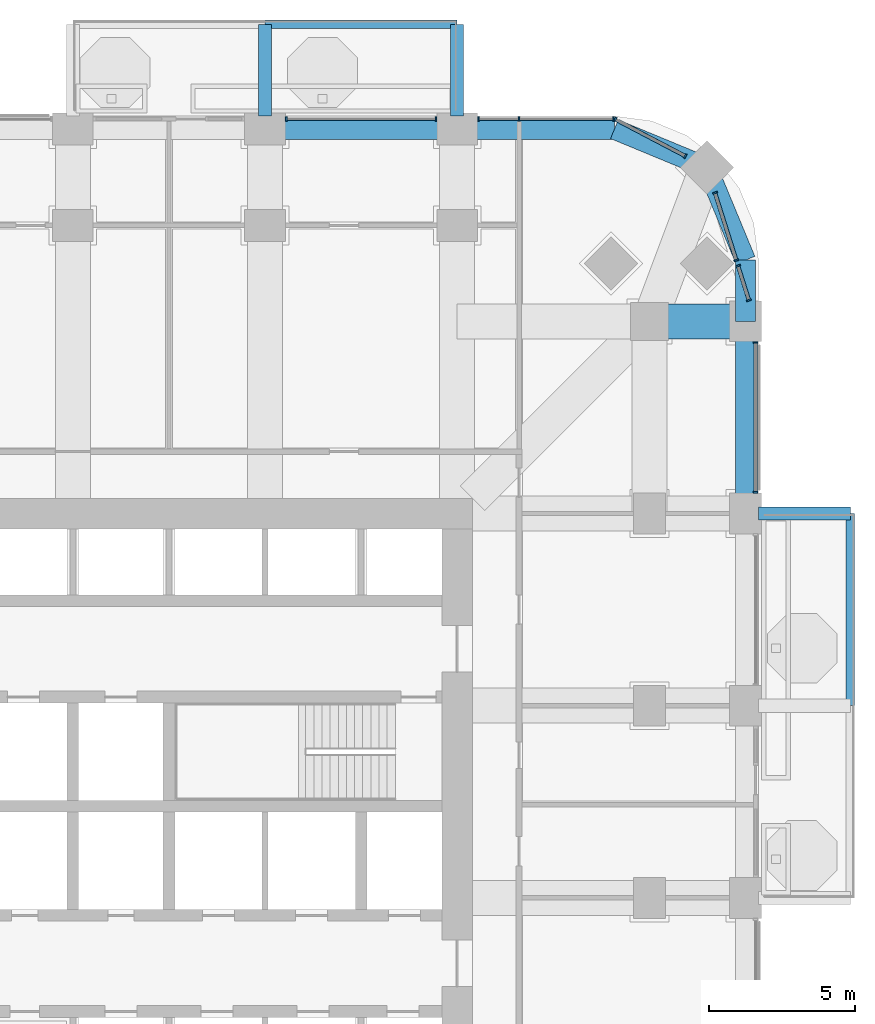
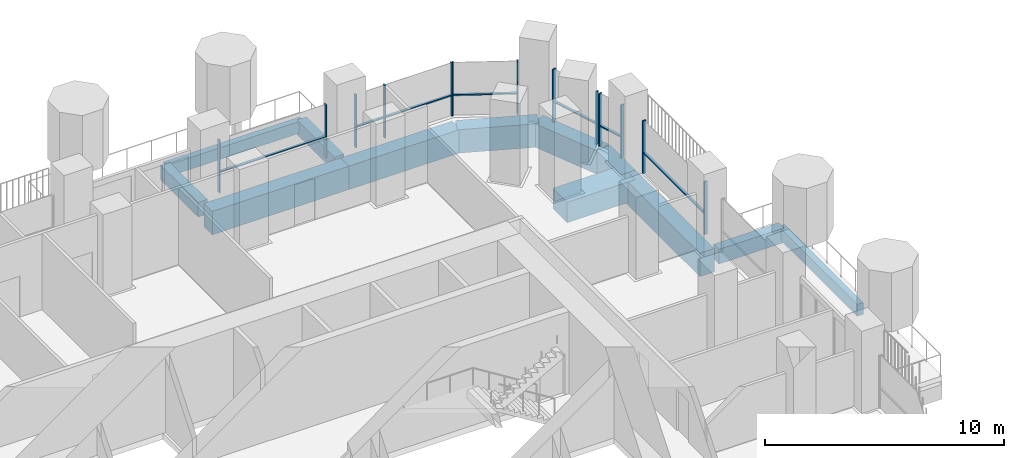
# One storey, part 8 of 22: 20 members, 12 beams, 6 elements without a shape of their own.
"""IFC4 building model written with IfcOpenShell, lengths in metres."""

from ifc_helpers import new_model, si_unit, direction, frame, origin, origin_2d, place, context, subcontext, project, spatial, rectangle, extrude, material, material_profile, profile_set, type_object, element, aggregate, save


model = new_model("IFC4")

# Units and contexts
model_context = context("Model", 3, precision=1e-05, world=origin(), true_north=direction((0.0, 1.0)))
body_context = subcontext(model_context, "Body", "Model", "MODEL_VIEW")
ifc_project = project(units=[si_unit("LENGTHUNIT", "METRE"), si_unit("AREAUNIT", "SQUARE_METRE"), si_unit("VOLUMEUNIT", "CUBIC_METRE"), si_unit("PLANEANGLEUNIT", "RADIAN"), si_unit("MASSUNIT", "GRAM", prefix="KILO")], contexts=[model_context])

# Site, building, storey
site_placement = place(None, origin())
site = spatial("IfcSite", under=ifc_project, at=site_placement, CompositionType="ELEMENT")
building_placement = place(site_placement, origin())
building = spatial("IfcBuilding", under=site, at=building_placement, Name="Cobogo Forest Laboratory Tower", CompositionType="ELEMENT")
storey_placement = place(building_placement, frame((0.0, 0.0, 111.60009765625)))
storey = spatial("IfcBuildingStorey", under=building, at=storey_placement, Name="L25", CompositionType="ELEMENT", Elevation=111.60009765625)

# Beams
ifc_material_1 = material(Name="Concrete HA-40 (C40/50)", Category="concrete")
ifc_material_profile_1 = material_profile(ifc_material_1, rectangle(XDim=0.449951171875, YDim=0.75, at=origin_2d()), Name="RC 450x750")
ifc_profile_set_1 = profile_set([ifc_material_profile_1], Name="Concrete HA-40 (C40/50)")
beam_type_1 = type_object("IfcBeamType", Name="Balcony cantilever beam 450x750", PredefinedType="BEAM", material=ifc_profile_set_1)
for number, where, z_axis, x_axis, name in (
    (1, (49.949951171875, 33.0, -0.625), (1.0, 0.0, 0.0), (0.0, 1.0, 0.0), "CB1 BAL-E1-C3 L25"),
    (2, (33.0, 46.64990234375, -0.625), (0.0, 1.0, 0.0), (-1.0, 0.0, 0.0), "CB1 BAL-N1-C2 L25"),
    (3, (39.60009765625, 46.64990234375, -0.625), (0.0, 1.0, 0.0), (-1.0, 0.0, 0.0), "CB1 BAL-N1-C3 L25"),
):
    element("IfcBeam", number, at=place(storey_placement, frame(where, z_axis=z_axis, x_axis=x_axis)), inside=storey, type_object=beam_type_1, Name=name, PredefinedType="BEAM", context=body_context, shape_type="SweptSolid", body=[
        extrude(rectangle(XDim=0.449951171875, YDim=0.75, at=origin_2d()), origin(), (0.0, 0.0, 1.0), 3.150146484375),
    ])
ifc_material_profile_2 = material_profile(ifc_material_1, rectangle(XDim=0.300048828125, YDim=0.60009765625, at=origin_2d()), Name="RC 300x600")
ifc_profile_set_2 = profile_set([ifc_material_profile_2], Name="Concrete HA-40 (C40/50)")
beam_type_2 = type_object("IfcBeamType", Name="Balcony edge beam 300x600", PredefinedType="BEAM", material=ifc_profile_set_2)
for number, where, z_axis, x_axis, name in (
    (4, (53.10009765625, 26.39990234375, -0.550048828125), (0.0, 1.0, 0.0), (-1.0, 0.0, 0.0), "BB1 BAL-E1-T2 L25"),
    (5, (33.0, 49.800048828125, -0.550048828125), (1.0, 0.0, 0.0), (0.0, 1.0, 0.0), "BB1 BAL-N1-T2 L25"),
):
    element("IfcBeam", number, at=place(storey_placement, frame(where, z_axis=z_axis, x_axis=x_axis)), inside=storey, type_object=beam_type_2, Name=name, PredefinedType="BEAM", context=body_context, shape_type="SweptSolid", body=[
        extrude(rectangle(XDim=0.300048828125, YDim=0.60009765625, at=origin_2d()), origin(), (0.0, 0.0, 1.0), 6.60009765625),
    ])
ifc_material_profile_3 = material_profile(ifc_material_1, rectangle(XDim=1.199951171875, YDim=1.050048828125, at=origin_2d()), Name="RC 1200x1050")
ifc_profile_set_3 = profile_set([ifc_material_profile_3], Name="Concrete HA-40 (C40/50)")
beam_type_3 = type_object("IfcBeamType", Name="Laboratory floor wide beam 1200x1050", PredefinedType="BEAM", material=ifc_profile_set_3)
beam_1_placement = place(storey_placement, frame((49.5, 39.60009765625, -0.8251953125), z_axis=(-1.0, 0.0, 0.0), x_axis=(0.0, -1.0, 0.0)))
element("IfcBeam", 6, at=beam_1_placement, inside=storey, type_object=beam_type_3, Name="RB1 G-NE-YF L25", PredefinedType="BEAM", context=body_context, shape_type="SweptSolid", body=[
    extrude(rectangle(XDim=1.199951171875, YDim=1.050048828125, at=origin_2d()), origin(), (0.0, 0.0, 1.0), 3.300048828125),
])

# Curtain wall, members
ifc_material_2 = material(Name="Aluminium curtain wall", Category="aluminium")
curtain_wall_type = type_object("IfcCurtainWallType", Name="CW-1 unitised curtain wall, clear glazing, laboratory floors zones A and B", PredefinedType="USERDEFINED", material=ifc_material_2)
curtain_wall_1_placement = place(storey_placement, origin())
curtain_wall_1 = element("IfcCurtainWall", 7, at=curtain_wall_1_placement, inside=storey, type_object=curtain_wall_type, Name="Curtain wall 14 L25", ObjectType="UNITISED CURTAIN WALL", PredefinedType="USERDEFINED")
ifc_material_3 = material(Name="Aluminium mullion", Category="aluminium")
ifc_material_profile_4 = material_profile(ifc_material_3, rectangle(XDim=0.06005859375, YDim=0.159912109375, at=origin_2d()), Name="AL 60x160")
ifc_profile_set_4 = profile_set([ifc_material_profile_4], Name="Aluminium mullion")
member_type_1 = type_object("IfcMemberType", Name="MU-1 aluminium mullion 60x160", PredefinedType="MULLION", material=ifc_profile_set_4)
member_1_placement = place(storey_placement, frame((49.85009765625, 33.72998046875, 0.0), z_axis=(0.0, 0.0, 1.0), x_axis=(0.0, 1.0, 0.0)))
member_1 = element("IfcMember", 8, at=member_1_placement, type_object=member_type_1, Name="CW-1 mullion 1", PredefinedType="MULLION", context=body_context, shape_type="SweptSolid", body=[
    extrude(rectangle(XDim=0.06005859375, YDim=0.159912109375, at=origin_2d()), origin(), (0.0, 0.0, 1.0), 2.699951171875),
])
member_2_placement = place(storey_placement, frame((49.85009765625, 38.8701171875, 0.0), z_axis=(0.0, 0.0, 1.0), x_axis=(0.0, 1.0, 0.0)))
member_2 = element("IfcMember", 9, at=member_2_placement, type_object=member_type_1, Name="CW-1 mullion 2", PredefinedType="MULLION", context=body_context, shape_type="SweptSolid", body=[
    extrude(rectangle(XDim=0.06005859375, YDim=0.159912109375, at=origin_2d()), origin(), (0.0, 0.0, 1.0), 2.699951171875),
])

curtain_wall_2_placement = place(storey_placement, origin())
curtain_wall_2 = element("IfcCurtainWall", 10, at=curtain_wall_2_placement, inside=storey, type_object=curtain_wall_type, Name="Curtain wall 15 L25", ObjectType="UNITISED CURTAIN WALL", PredefinedType="USERDEFINED")
member_3_placement = place(storey_placement, frame((49.619873046875, 40.32861328125, 0.0), z_axis=(0.0, 0.0, 1.0), x_axis=(-0.301135356805, 0.953581405483, 0.0)))
member_3 = element("IfcMember", 11, at=member_3_placement, type_object=member_type_1, Name="CW-1 mullion 1", PredefinedType="MULLION", context=body_context, shape_type="SweptSolid", body=[
    extrude(rectangle(XDim=0.06005859375, YDim=0.159912109375, at=origin_2d()), origin(), (0.0, 0.0, 1.0), 2.699951171875),
])
member_4_placement = place(storey_placement, frame((49.247802734375, 41.507080078125, 0.0), z_axis=(0.0, 0.0, 1.0), x_axis=(-0.301135356805, 0.953581405483, 0.0)))
member_4 = element("IfcMember", 12, at=member_4_placement, type_object=member_type_1, Name="CW-1 mullion 2", PredefinedType="MULLION", context=body_context, shape_type="SweptSolid", body=[
    extrude(rectangle(XDim=0.06005859375, YDim=0.159912109375, at=origin_2d()), origin(), (0.0, 0.0, 1.0), 2.699951171875),
])

curtain_wall_3_placement = place(storey_placement, origin())
curtain_wall_3 = element("IfcCurtainWall", 13, at=curtain_wall_3_placement, inside=storey, type_object=curtain_wall_type, Name="Curtain wall 16 L25", ObjectType="UNITISED CURTAIN WALL", PredefinedType="USERDEFINED")
member_5_placement = place(storey_placement, frame((49.18701171875, 41.69970703125, 0.0), z_axis=(0.0, 0.0, 1.0), x_axis=(-0.301135291996, 0.953581425949, 0.0)))
member_5 = element("IfcMember", 14, at=member_5_placement, type_object=member_type_1, Name="CW-1 mullion 1", PredefinedType="MULLION", context=body_context, shape_type="SweptSolid", body=[
    extrude(rectangle(XDim=0.06005859375, YDim=0.159912109375, at=origin_2d()), origin(), (0.0, 0.0, 1.0), 2.699951171875),
])
member_6_placement = place(storey_placement, frame((48.455810546875, 44.01513671875, 0.0), z_axis=(0.0, 0.0, 1.0), x_axis=(-0.301135291996, 0.953581425949, 0.0)))
member_6 = element("IfcMember", 15, at=member_6_placement, type_object=member_type_1, Name="CW-1 mullion 2", PredefinedType="MULLION", context=body_context, shape_type="SweptSolid", body=[
    extrude(rectangle(XDim=0.06005859375, YDim=0.159912109375, at=origin_2d()), origin(), (0.0, 0.0, 1.0), 2.699951171875),
])

curtain_wall_4_placement = place(storey_placement, origin())
curtain_wall_4 = element("IfcCurtainWall", 16, at=curtain_wall_4_placement, inside=storey, type_object=curtain_wall_type, Name="Curtain wall 17 L25", ObjectType="UNITISED CURTAIN WALL", PredefinedType="USERDEFINED")
member_7_placement = place(storey_placement, frame((47.431640625, 45.275390625, 0.0), z_axis=(0.0, 0.0, 1.0), x_axis=(-0.885686547075, 0.464283685186, 0.0)))
member_7 = element("IfcMember", 17, at=member_7_placement, type_object=member_type_1, Name="CW-1 mullion 1", PredefinedType="MULLION", context=body_context, shape_type="SweptSolid", body=[
    extrude(rectangle(XDim=0.06005859375, YDim=0.159912109375, at=origin_2d()), origin(), (0.0, 0.0, 1.0), 2.699951171875),
])
member_8_placement = place(storey_placement, frame((45.026611328125, 46.5361328125, 0.0), z_axis=(0.0, 0.0, 1.0), x_axis=(-0.885686547075, 0.464283685186, 0.0)))
member_8 = element("IfcMember", 18, at=member_8_placement, type_object=member_type_1, Name="CW-1 mullion 2", PredefinedType="MULLION", context=body_context, shape_type="SweptSolid", body=[
    extrude(rectangle(XDim=0.06005859375, YDim=0.159912109375, at=origin_2d()), origin(), (0.0, 0.0, 1.0), 2.699951171875),
])

curtain_wall_5_placement = place(storey_placement, origin())
curtain_wall_5 = element("IfcCurtainWall", 19, at=curtain_wall_5_placement, inside=storey, type_object=curtain_wall_type, Name="Curtain wall 18 L25", ObjectType="UNITISED CURTAIN WALL", PredefinedType="USERDEFINED")
member_9_placement = place(storey_placement, frame((44.969970703125, 46.550048828125, 0.0), z_axis=(0.0, 0.0, 1.0), x_axis=(-1.0, 0.0, 0.0)))
member_9 = element("IfcMember", 20, at=member_9_placement, type_object=member_type_1, Name="CW-1 mullion 1", PredefinedType="MULLION", context=body_context, shape_type="SweptSolid", body=[
    extrude(rectangle(XDim=0.06005859375, YDim=0.159912109375, at=origin_2d()), origin(), (0.0, 0.0, 1.0), 2.699951171875),
])
member_10_placement = place(storey_placement, frame((41.72509765625, 46.550048828125, 0.0), z_axis=(0.0, 0.0, 1.0), x_axis=(-1.0, 0.0, 0.0)))
member_10 = element("IfcMember", 21, at=member_10_placement, type_object=member_type_1, Name="CW-1 mullion 2", PredefinedType="MULLION", context=body_context, shape_type="SweptSolid", body=[
    extrude(rectangle(XDim=0.06005859375, YDim=0.159912109375, at=origin_2d()), origin(), (0.0, 0.0, 1.0), 2.699951171875),
])
member_11_placement = place(storey_placement, frame((40.330078125, 46.550048828125, 0.0), z_axis=(0.0, 0.0, 1.0), x_axis=(-1.0, 0.0, 0.0)))
member_11 = element("IfcMember", 22, at=member_11_placement, type_object=member_type_1, Name="CW-1 mullion 3", PredefinedType="MULLION", context=body_context, shape_type="SweptSolid", body=[
    extrude(rectangle(XDim=0.06005859375, YDim=0.159912109375, at=origin_2d()), origin(), (0.0, 0.0, 1.0), 2.699951171875),
])

curtain_wall_6_placement = place(storey_placement, origin())
curtain_wall_6 = element("IfcCurtainWall", 23, at=curtain_wall_6_placement, inside=storey, type_object=curtain_wall_type, Name="Curtain wall 19 L25", ObjectType="UNITISED CURTAIN WALL", PredefinedType="USERDEFINED")
member_12_placement = place(storey_placement, frame((38.8701171875, 46.550048828125, 0.0), z_axis=(0.0, 0.0, 1.0), x_axis=(-1.0, 0.0, 0.0)))
member_12 = element("IfcMember", 24, at=member_12_placement, type_object=member_type_1, Name="CW-1 mullion 1", PredefinedType="MULLION", context=body_context, shape_type="SweptSolid", body=[
    extrude(rectangle(XDim=0.06005859375, YDim=0.159912109375, at=origin_2d()), origin(), (0.0, 0.0, 1.0), 2.699951171875),
])
member_13_placement = place(storey_placement, frame((33.72998046875, 46.550048828125, 0.0), z_axis=(0.0, 0.0, 1.0), x_axis=(-1.0, 0.0, 0.0)))
member_13 = element("IfcMember", 25, at=member_13_placement, type_object=member_type_1, Name="CW-1 mullion 2", PredefinedType="MULLION", context=body_context, shape_type="SweptSolid", body=[
    extrude(rectangle(XDim=0.06005859375, YDim=0.159912109375, at=origin_2d()), origin(), (0.0, 0.0, 1.0), 2.699951171875),
])

# Beams
ifc_material_profile_5 = material_profile(ifc_material_1, rectangle(XDim=0.699951171875, YDim=1.199951171875, at=origin_2d()), Name="RC 700x1200")
ifc_profile_set_5 = profile_set([ifc_material_profile_5], Name="Concrete HA-40 (C40/50)")
beam_type_4 = type_object("IfcBeamType", Name="Perimeter edge beam 700x1200", PredefinedType="BEAM", material=ifc_profile_set_5)
for number, where, z_axis, x_axis, name in (
    (26, (49.5, 33.0, -0.900146484375), (0.0, 1.0, 0.0), (-1.0, 0.0, 0.0), "EB1 E-E5 L25"),
    (27, (33.0, 46.199951171875, -0.900146484375), (1.0, 0.0, 0.0), (0.0, 1.0, 0.0), "EB1 E-N4 L25"),
):
    element("IfcBeam", number, at=place(storey_placement, frame(where, z_axis=z_axis, x_axis=x_axis)), inside=storey, type_object=beam_type_4, Name=name, PredefinedType="BEAM", context=body_context, shape_type="SweptSolid", body=[
        extrude(rectangle(XDim=0.699951171875, YDim=1.199951171875, at=origin_2d()), origin(), (0.0, 0.0, 1.0), 6.60009765625),
    ])
beam_2_placement = place(storey_placement, frame((49.5, 39.60009765625, -0.900146484375), z_axis=(0.0, 1.0, 0.0), x_axis=(-1.0, 0.0, 0.0)))
element("IfcBeam", 28, at=beam_2_placement, inside=storey, type_object=beam_type_4, Name="EB1 E-NEE1 L25", PredefinedType="BEAM", context=body_context, shape_type="SweptSolid", body=[
    extrude(rectangle(XDim=0.699951171875, YDim=1.199951171875, at=origin_2d()), origin(), (0.0, 0.0, 1.0), 2.099853515625),
])
beam_3_placement = place(storey_placement, frame((49.5, 41.699951171875, -0.900146484375), z_axis=(-0.382691928466, 0.923876013265, 0.0), x_axis=(-0.923876013265, -0.382691928466, 0.0)))
element("IfcBeam", 29, at=beam_3_placement, inside=storey, type_object=beam_type_4, Name="EB1 E-NEE2 L25", PredefinedType="BEAM", context=body_context, shape_type="SweptSolid", body=[
    extrude(rectangle(XDim=0.699951171875, YDim=1.199951171875, at=origin_2d()), origin(), (0.0, 0.0, 1.0), 3.4443359375),
])
beam_4_placement = place(storey_placement, frame((39.60009765625, 46.199951171875, -0.900146484375), z_axis=(1.0, 0.0, 0.0), x_axis=(0.0, 1.0, 0.0)))
element("IfcBeam", 30, at=beam_4_placement, inside=storey, type_object=beam_type_4, Name="EB1 E-NEN1 L25", PredefinedType="BEAM", context=body_context, shape_type="SweptSolid", body=[
    extrude(rectangle(XDim=0.699951171875, YDim=1.199951171875, at=origin_2d()), origin(), (0.0, 0.0, 1.0), 5.39990234375),
])
beam_5_placement = place(storey_placement, frame((45.0, 46.199951171875, -0.900146484375), z_axis=(0.923890694089, -0.382656484822, 0.0), x_axis=(0.382656484822, 0.923890694089, 0.0)))
element("IfcBeam", 31, at=beam_5_placement, inside=storey, type_object=beam_type_4, Name="EB1 E-NEN2 L25", PredefinedType="BEAM", context=body_context, shape_type="SweptSolid", body=[
    extrude(rectangle(XDim=0.699951171875, YDim=1.199951171875, at=origin_2d()), origin(), (0.0, 0.0, 1.0), 3.444091796875),
])

# Member
ifc_material_4 = material(Name="Aluminium transom", Category="aluminium")
ifc_material_profile_6 = material_profile(ifc_material_4, rectangle(XDim=0.1201171875, YDim=0.06005859375, at=origin_2d()), Name="AL 60x120")
ifc_profile_set_6 = profile_set([ifc_material_profile_6], Name="Aluminium transom")
member_type_2 = type_object("IfcMemberType", Name="TR-1 aluminium transom 60x120", PredefinedType="USERDEFINED", material=ifc_profile_set_6)
member_14_placement = place(storey_placement, frame((49.85009765625, 33.760009765625, 1.0498046875), z_axis=(0.0, 1.0, 0.0), x_axis=(-1.0, 0.0, 0.0)))
member_14 = element("IfcMember", 32, at=member_14_placement, type_object=member_type_2, Name="CW-1 transom 1.1", ObjectType="TRANSOM", PredefinedType="USERDEFINED", context=body_context, shape_type="SweptSolid", body=[
    extrude(rectangle(XDim=0.1201171875, YDim=0.06005859375, at=origin_2d()), origin(), (0.0, 0.0, 1.0), 5.080078125),
])

aggregate(curtain_wall_1, [member_1, member_2, member_14])

member_15_placement = place(storey_placement, frame((49.61083984375, 40.357177734375, 1.0498046875), z_axis=(-0.301051874343, 0.953607764731, 0.0), x_axis=(-0.953607764731, -0.301051874343, 0.0)))
member_15 = element("IfcMember", 33, at=member_15_placement, type_object=member_type_2, Name="CW-1 transom 1.1", ObjectType="TRANSOM", PredefinedType="USERDEFINED", context=body_context, shape_type="SweptSolid", body=[
    extrude(rectangle(XDim=0.1201171875, YDim=0.06005859375, at=origin_2d()), origin(), (0.0, 0.0, 1.0), 1.17578125),
])

aggregate(curtain_wall_2, [member_3, member_4, member_15])

member_16_placement = place(storey_placement, frame((49.177978515625, 41.728271484375, 1.0498046875), z_axis=(-0.301156039198, 0.953574873859, 0.0), x_axis=(-0.953574873859, -0.301156039198, 0.0)))
member_16 = element("IfcMember", 34, at=member_16_placement, type_object=member_type_2, Name="CW-1 transom 1.1", ObjectType="TRANSOM", PredefinedType="USERDEFINED", context=body_context, shape_type="SweptSolid", body=[
    extrude(rectangle(XDim=0.1201171875, YDim=0.06005859375, at=origin_2d()), origin(), (0.0, 0.0, 1.0), 2.367919921875),
])

aggregate(curtain_wall_3, [member_5, member_6, member_16])

member_17_placement = place(storey_placement, frame((47.405029296875, 45.289306640625, 1.0498046875), z_axis=(-0.885674922116, 0.464305860758, 0.0), x_axis=(-0.464305860758, -0.885674922116, 0.0)))
member_17 = element("IfcMember", 35, at=member_17_placement, type_object=member_type_2, Name="CW-1 transom 1.1", ObjectType="TRANSOM", PredefinedType="USERDEFINED", context=body_context, shape_type="SweptSolid", body=[
    extrude(rectangle(XDim=0.1201171875, YDim=0.06005859375, at=origin_2d()), origin(), (0.0, 0.0, 1.0), 2.6552734375),
])

aggregate(curtain_wall_4, [member_7, member_8, member_17])

member_18_placement = place(storey_placement, frame((44.93994140625, 46.550048828125, 1.0498046875), z_axis=(-1.0, 0.0, 0.0), x_axis=(0.0, -1.0, 0.0)))
member_18 = element("IfcMember", 36, at=member_18_placement, type_object=member_type_2, Name="CW-1 transom 1.1", ObjectType="TRANSOM", PredefinedType="USERDEFINED", context=body_context, shape_type="SweptSolid", body=[
    extrude(rectangle(XDim=0.1201171875, YDim=0.06005859375, at=origin_2d()), origin(), (0.0, 0.0, 1.0), 3.18505859375),
])

member_19_placement = place(storey_placement, frame((41.695068359375, 46.550048828125, 1.0498046875), z_axis=(-1.0, 0.0, 0.0), x_axis=(0.0, -1.0, 0.0)))
member_19 = element("IfcMember", 37, at=member_19_placement, type_object=member_type_2, Name="CW-1 transom 2.1", ObjectType="TRANSOM", PredefinedType="USERDEFINED", context=body_context, shape_type="SweptSolid", body=[
    extrude(rectangle(XDim=0.1201171875, YDim=0.06005859375, at=origin_2d()), origin(), (0.0, 0.0, 1.0), 1.3349609375),
])

aggregate(curtain_wall_5, [member_9, member_10, member_11, member_18, member_19])

member_20_placement = place(storey_placement, frame((38.840087890625, 46.550048828125, 1.0498046875), z_axis=(-1.0, 0.0, 0.0), x_axis=(0.0, -1.0, 0.0)))
member_20 = element("IfcMember", 38, at=member_20_placement, type_object=member_type_2, Name="CW-1 transom 1.1", ObjectType="TRANSOM", PredefinedType="USERDEFINED", context=body_context, shape_type="SweptSolid", body=[
    extrude(rectangle(XDim=0.1201171875, YDim=0.06005859375, at=origin_2d()), origin(), (0.0, 0.0, 1.0), 5.080078125),
])

aggregate(curtain_wall_6, [member_12, member_13, member_20])

save(model, "model.ifc")
